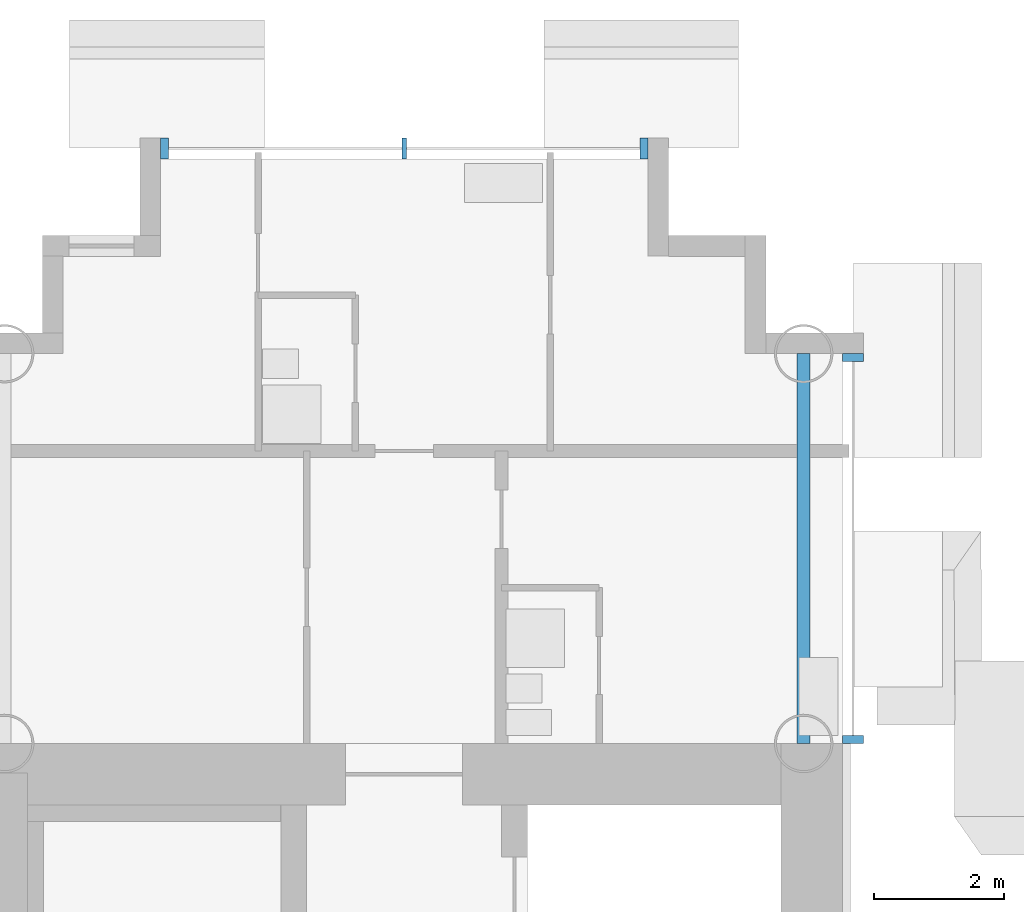
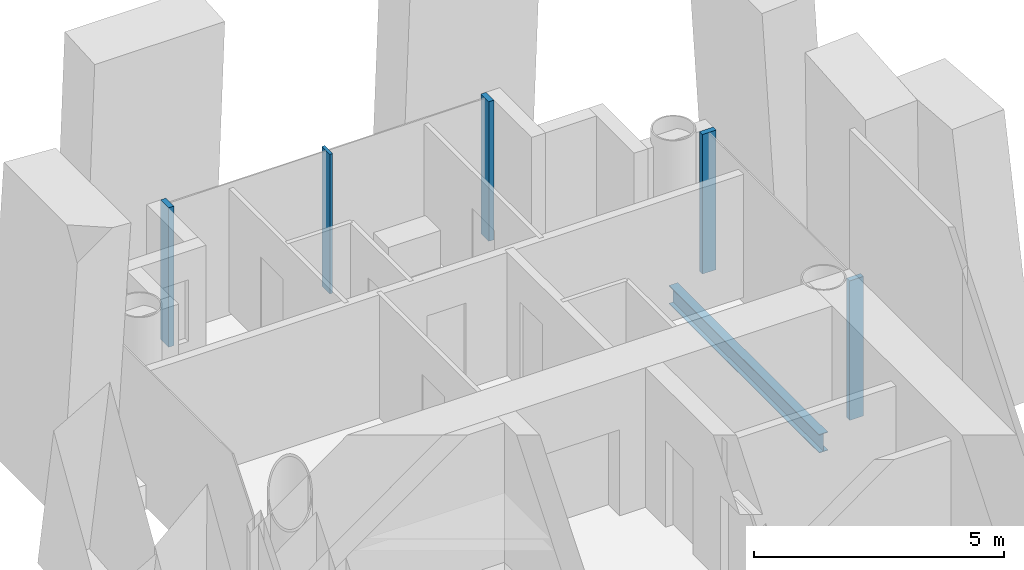
# One storey, part 6 of 21: 5 members, 1 beam, 2 elements without a shape of their own.
"""IFC4 building model written with IfcOpenShell, lengths in metres."""

from ifc_helpers import new_model, si_unit, direction, frame, origin, origin_2d, place, context, subcontext, project, spatial, rectangle, i_section, extrude, material, layer, layer_set, material_profile, profile_set, type_object, element, aggregate, save


model = new_model("IFC4")

# Units and contexts
model_context = context("Model", 3, precision=1e-05, world=origin(), true_north=direction((0.0, 1.0)))
body_context = subcontext(model_context, "Body", "Model", "MODEL_VIEW")
ifc_project = project(units=[si_unit("LENGTHUNIT", "METRE"), si_unit("AREAUNIT", "SQUARE_METRE"), si_unit("VOLUMEUNIT", "CUBIC_METRE"), si_unit("PLANEANGLEUNIT", "RADIAN"), si_unit("MASSUNIT", "GRAM", prefix="KILO")], contexts=[model_context])

# Site, building, storey
site_placement = place(None, origin())
site = spatial("IfcSite", under=ifc_project, at=site_placement, CompositionType="ELEMENT")
building_placement = place(site_placement, origin())
building = spatial("IfcBuilding", under=site, at=building_placement, Name="Ipe Terrace Towers", CompositionType="ELEMENT")
storey_placement = place(building_placement, frame((0.0, 0.0, 86.800048828125)))
storey = spatial("IfcBuildingStorey", under=building, at=storey_placement, Name="L23", CompositionType="ELEMENT", Elevation=86.800048828125)

# Beam
ifc_material_1 = material(Name="Steel S355", Category="steel")
ifc_material_profile_1 = material_profile(ifc_material_1, i_section(OverallWidth=0.199951171875, OverallDepth=0.449951171875, WebThickness=0.009033203125, FlangeThickness=0.013916015625, at=origin_2d()), Name="H-450x200x9x14")
ifc_profile_set_1 = profile_set([ifc_material_profile_1], Name="Steel S355")
beam_type = type_object("IfcBeamType", Name="H08 EDGE BEAM H-450x200x9x14", PredefinedType="BEAM", material=ifc_profile_set_1)
beam_placement = place(storey_placement, frame((42.14990234375, 15.75, -0.625), z_axis=(0.0, 1.0, 0.0), x_axis=(-1.0, 0.0, 0.0)))
element("IfcBeam", 1, at=beam_placement, inside=storey, type_object=beam_type, Name="Edge beam T2-EB-A01-A03", PredefinedType="BEAM", context=body_context, shape_type="SweptSolid", body=[
    extrude(i_section(OverallWidth=0.199951171875, OverallDepth=0.449951171875, WebThickness=0.009033203125, FlangeThickness=0.013916015625, at=origin_2d()), origin(), (0.0, 0.0, 1.0), 6.0),
])

# Curtain wall, members
ifc_material_2 = material(Name="Aluminium alloy 6063-T6", Category="aluminium")
ifc_layer = layer(ifc_material_2, 0.320068359375)
ifc_layer_set = layer_set([ifc_layer], Name="TOWER UNITISED CURTAIN WALL")
curtain_wall_type = type_object("IfcCurtainWallType", Name="TOWER UNITISED CURTAIN WALL", PredefinedType="NOTDEFINED", material=ifc_layer_set)
curtain_wall_1_placement = place(storey_placement, origin())
curtain_wall_1 = element("IfcCurtainWall", 2, at=curtain_wall_1_placement, inside=storey, type_object=curtain_wall_type, Name="T2-CW-L23-16b curtain wall", PredefinedType="NOTDEFINED")
ifc_material_3 = material(Name="Aluminium alloy 6063-T6", Category="aluminium")
ifc_material_profile_2 = material_profile(ifc_material_3, rectangle(XDim=0.320068359375, YDim=0.1201171875, at=origin_2d()), Name="TOWER UNITISED CORNER MULLION 320 x 120")
ifc_profile_set_2 = profile_set([ifc_material_profile_2], Name="Aluminium alloy 6063-T6")
member_type_1 = type_object("IfcMemberType", Name="TOWER UNITISED CORNER MULLION 320 x 120", PredefinedType="MULLION", material=ifc_profile_set_2)
member_1_placement = place(storey_placement, frame((42.909912109375, 15.81103515625, -0.300048828125), z_axis=(0.0, 0.0, 1.0), x_axis=(1.0, 0.0, 0.0)))
member_1 = element("IfcMember", 3, at=member_1_placement, type_object=member_type_1, Name="T2-CW-L23-16b mullion 1", PredefinedType="MULLION", context=body_context, shape_type="SweptSolid", body=[
    extrude(rectangle(XDim=0.320068359375, YDim=0.1201171875, at=origin_2d()), origin(), (0.0, 0.0, 1.0), 3.39990234375),
])
member_2_placement = place(storey_placement, frame((42.909912109375, 21.68994140625, -0.300048828125), z_axis=(0.0, 0.0, 1.0), x_axis=(1.0, 0.0, 0.0)))
member_2 = element("IfcMember", 4, at=member_2_placement, type_object=member_type_1, Name="T2-CW-L23-16b mullion 2", PredefinedType="MULLION", context=body_context, shape_type="SweptSolid", body=[
    extrude(rectangle(XDim=0.320068359375, YDim=0.1201171875, at=origin_2d()), origin(), (0.0, 0.0, 1.0), 3.39990234375),
])
aggregate(curtain_wall_1, [member_1, member_2])

curtain_wall_2_placement = place(storey_placement, origin())
curtain_wall_2 = element("IfcCurtainWall", 5, at=curtain_wall_2_placement, inside=storey, type_object=curtain_wall_type, Name="T2-CW-L23-21a curtain wall", PredefinedType="NOTDEFINED")
member_3_placement = place(storey_placement, frame((39.68994140625, 24.909912109375, -0.300048828125), z_axis=(0.0, 0.0, 1.0), x_axis=(0.0, 1.0, 0.0)))
member_3 = element("IfcMember", 6, at=member_3_placement, type_object=member_type_1, Name="T2-CW-L23-21a mullion 1", PredefinedType="MULLION", context=body_context, shape_type="SweptSolid", body=[
    extrude(rectangle(XDim=0.320068359375, YDim=0.1201171875, at=origin_2d()), origin(), (0.0, 0.0, 1.0), 3.39990234375),
])
member_4_placement = place(storey_placement, frame((32.31005859375, 24.909912109375, -0.300048828125), z_axis=(0.0, 0.0, 1.0), x_axis=(0.0, 1.0, 0.0)))
member_4 = element("IfcMember", 7, at=member_4_placement, type_object=member_type_1, Name="T2-CW-L23-21a mullion 3", PredefinedType="MULLION", context=body_context, shape_type="SweptSolid", body=[
    extrude(rectangle(XDim=0.320068359375, YDim=0.1201171875, at=origin_2d()), origin(), (0.0, 0.0, 1.0), 3.39990234375),
])
ifc_material_4 = material(Name="Aluminium alloy 6063-T6", Category="aluminium")
ifc_material_profile_3 = material_profile(ifc_material_4, rectangle(XDim=0.320068359375, YDim=0.06494140625, at=origin_2d()), Name="TOWER UNITISED MULLION 320 x 65")
ifc_profile_set_3 = profile_set([ifc_material_profile_3], Name="Aluminium alloy 6063-T6")
member_type_2 = type_object("IfcMemberType", Name="TOWER UNITISED MULLION 320 x 65", PredefinedType="MULLION", material=ifc_profile_set_3)
member_5_placement = place(storey_placement, frame((36.0, 24.909912109375, -0.300048828125), z_axis=(0.0, 0.0, 1.0), x_axis=(0.0, 1.0, 0.0)))
member_5 = element("IfcMember", 8, at=member_5_placement, type_object=member_type_2, Name="T2-CW-L23-21a mullion 2", PredefinedType="MULLION", context=body_context, shape_type="SweptSolid", body=[
    extrude(rectangle(XDim=0.320068359375, YDim=0.06494140625, at=origin_2d()), origin(), (0.0, 0.0, 1.0), 3.39990234375),
])
aggregate(curtain_wall_2, [member_3, member_5, member_4])

save(model, "model.ifc")
